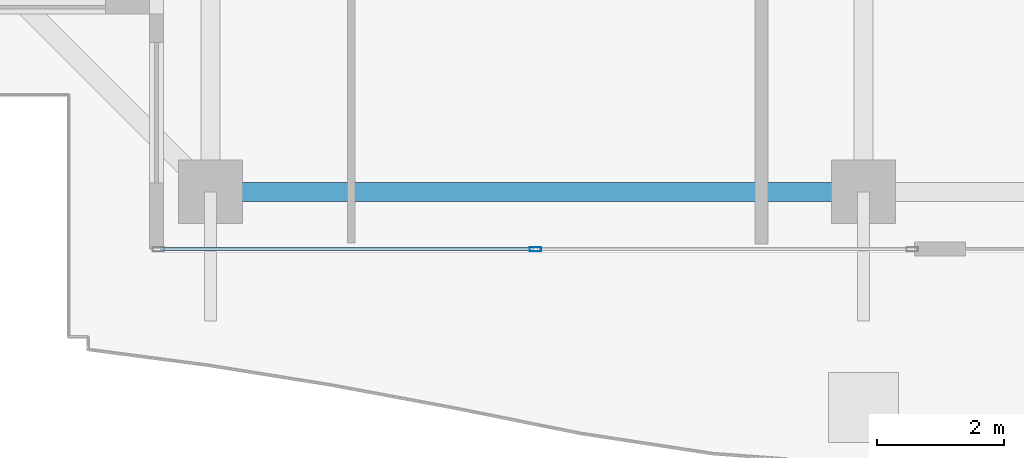
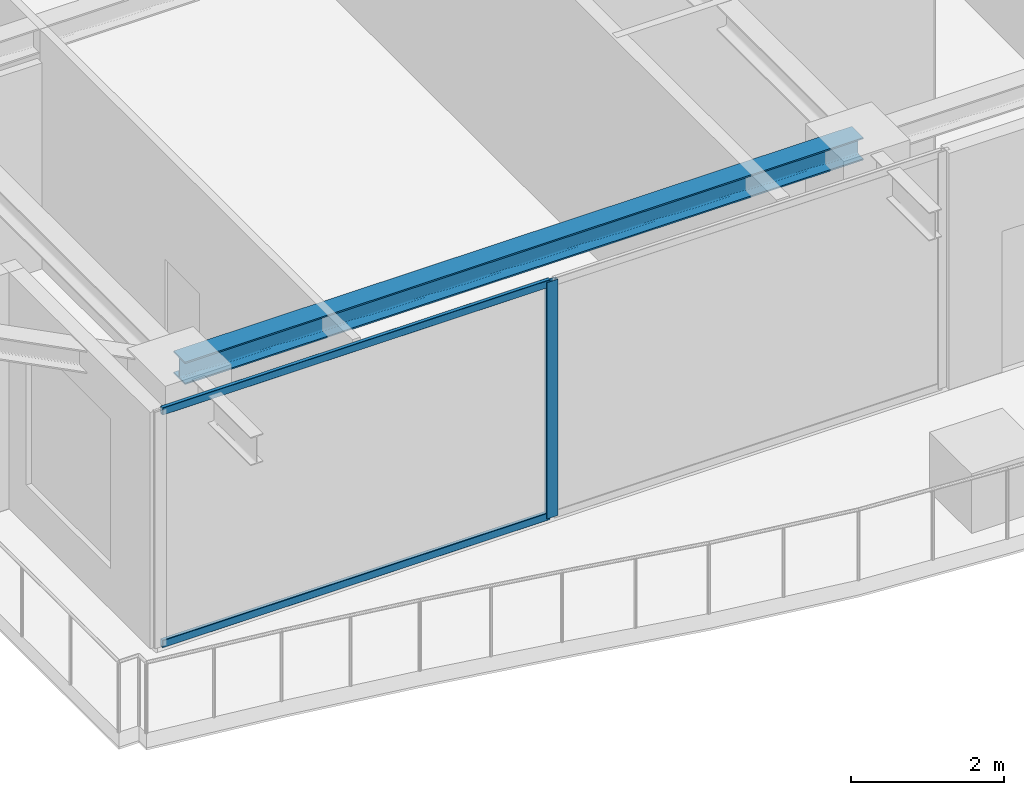
# One storey, part 3 of 42: 3 members, 1 beam, 1 element without a shape of its own.
"""IFC4 building model written with IfcOpenShell, lengths in metres."""

from ifc_helpers import new_model, si_unit, direction, frame, origin, origin_2d, place, context, subcontext, project, spatial, hollow_rectangle, i_section, extrude, source, transform, mapped, material, layer, layer_set, material_profile, profile_set, type_object, element, aggregate, save


model = new_model("IFC4")

# Units and contexts
model_context = context("Model", 3, precision=1e-05, world=origin(), true_north=direction((0.0, 1.0)))
body_context = subcontext(model_context, "Body", "Model", "MODEL_VIEW")
ifc_project = project(units=[si_unit("LENGTHUNIT", "METRE"), si_unit("AREAUNIT", "SQUARE_METRE"), si_unit("VOLUMEUNIT", "CUBIC_METRE"), si_unit("PLANEANGLEUNIT", "RADIAN"), si_unit("MASSUNIT", "GRAM", prefix="KILO")], contexts=[model_context])

# Site, building, storey
site_placement = place(None, origin())
site = spatial("IfcSite", under=ifc_project, at=site_placement, CompositionType="ELEMENT")
building_placement = place(site_placement, origin())
building = spatial("IfcBuilding", under=site, at=building_placement, Name="Serunith Strait Residences", CompositionType="ELEMENT")
storey_placement = place(building_placement, frame((0.0, 0.0, 325.85009765625)))
storey = spatial("IfcBuildingStorey", under=building, at=storey_placement, Name="L81", CompositionType="ELEMENT", Elevation=325.85009765625)

# Beam
ifc_material_1 = material(Name="Steel S355J2", Category="steel")
ifc_material_profile_1 = material_profile(ifc_material_1, i_section(OverallWidth=0.300048828125, OverallDepth=0.360107421875, WebThickness=0.012451171875, FlangeThickness=0.0224609375, FilletRadius=0.027099609375, at=origin_2d()), Name="HEB 360")
ifc_profile_set_1 = profile_set([ifc_material_profile_1], Name="Steel S355J2")
beam_type = type_object("IfcBeamType", Name="BM-HEB360", PredefinedType="BEAM", material=ifc_profile_set_1)
shared_shape_1 = source(origin(), body_context, "Body", "SweptSolid", [
    extrude(i_section(OverallWidth=0.300048828125, OverallDepth=0.360107421875, WebThickness=0.012451171875, FlangeThickness=0.0224609375, FilletRadius=0.027099609375, at=origin_2d()), origin(), (0.0, 0.0, 1.0), 10.25),
])
beam_placement = place(storey_placement, frame((17.64990234375, 3.300048828125, 3.60693359375), z_axis=(1.0, 0.0, 0.0), x_axis=(0.0, 1.0, 0.0)))
element("IfcBeam", 1, at=beam_placement, inside=storey, type_object=beam_type, Name="L81 Perimeter Ring Beam 01", PredefinedType="BEAM", context=body_context, shape_type="MappedRepresentation", body=[
    mapped(shared_shape_1, transform((0.0, 0.0, 0.0), scale=1.0)),
])

# Curtain wall, members
ifc_material_2 = material(Name="Brushed Stainless-Silver Aluminium", Category="aluminium")
ifc_layer = layer(ifc_material_2, 0.199951171875, Name="Brushed Stainless-Silver Aluminium")
ifc_layer_set = layer_set([ifc_layer], Name="Brushed Stainless-Silver Aluminium")
curtain_wall_type = type_object("IfcCurtainWallType", Name="CW-SYS5", PredefinedType="NOTDEFINED", material=ifc_layer_set)
curtain_wall_placement = place(storey_placement, origin())
curtain_wall = element("IfcCurtainWall", 2, at=curtain_wall_placement, inside=storey, type_object=curtain_wall_type, Name="L81 S Unitised Fritted Curtain Wall", PredefinedType="NOTDEFINED")
ifc_material_profile_2 = material_profile(ifc_material_2, hollow_rectangle(XDim=0.06494140625, YDim=0.179931640625, WallThickness=0.00341796875, InnerFilletRadius=0.00537109375, OuterFilletRadius=0.0087890625, at=origin_2d()), Name="ALU 180x65x3.5")
ifc_profile_set_2 = profile_set([ifc_material_profile_2], Name="Brushed Stainless-Silver Aluminium")
member_type_1 = type_object("IfcMemberType", Name="CW-SYS5-MULL", PredefinedType="MULLION", material=ifc_profile_set_2)
shared_shape_2 = source(origin(), body_context, "Body", "SweptSolid", [
    extrude(hollow_rectangle(XDim=0.06494140625, YDim=0.179931640625, WallThickness=0.00341796875, InnerFilletRadius=0.00537109375, OuterFilletRadius=0.0087890625, at=origin_2d()), origin(), (0.0, 0.0, 1.0), 3.77490234375),
])
member_1_placement = place(storey_placement, frame((22.75, 2.39990234375, 0.0), z_axis=(0.0, 0.0, 1.0), x_axis=(0.0, 1.0, 0.0)))
member_1 = element("IfcMember", 3, at=member_1_placement, type_object=member_type_1, Name="CW-5 mullion 2", PredefinedType="MULLION", context=body_context, shape_type="MappedRepresentation", body=[
    mapped(shared_shape_2, transform((0.0, 0.0, 0.0), scale=1.0)),
])
ifc_material_profile_3 = material_profile(ifc_material_2, hollow_rectangle(XDim=0.06005859375, YDim=0.1201171875, WallThickness=0.00341796875, InnerFilletRadius=0.00537109375, OuterFilletRadius=0.0087890625, at=origin_2d()), Name="ALU 120x60x3.5")
ifc_profile_set_3 = profile_set([ifc_material_profile_3], Name="Brushed Stainless-Silver Aluminium")
member_type_2 = type_object("IfcMemberType", Name="CW-SYS5-TRAN", PredefinedType="USERDEFINED", material=ifc_profile_set_3)
shared_shape_3 = source(origin(), body_context, "Body", "SweptSolid", [
    extrude(hollow_rectangle(XDim=0.06005859375, YDim=0.1201171875, WallThickness=0.00341796875, InnerFilletRadius=0.00537109375, OuterFilletRadius=0.0087890625, at=origin_2d()), origin(), (0.0, 0.0, 1.0), 5.8525390625),
])
member_2_placement = place(storey_placement, frame((16.864990234375, 2.39990234375, 0.02978515625), z_axis=(1.0, 0.0, 0.0), x_axis=(0.0, 1.0, 0.0)))
member_2 = element("IfcMember", 4, at=member_2_placement, type_object=member_type_2, Name="CW-5 transom 1.1", ObjectType="TRANSOM", PredefinedType="USERDEFINED", context=body_context, shape_type="MappedRepresentation", body=[
    mapped(shared_shape_3, transform((0.0, 0.0, 0.0), scale=1.0)),
])
member_3_placement = place(storey_placement, frame((16.864990234375, 2.39990234375, 3.744873046875), z_axis=(1.0, 0.0, 0.0), x_axis=(0.0, 1.0, 0.0)))
member_3 = element("IfcMember", 5, at=member_3_placement, type_object=member_type_2, Name="CW-5 transom 1.2", ObjectType="TRANSOM", PredefinedType="USERDEFINED", context=body_context, shape_type="MappedRepresentation", body=[
    mapped(shared_shape_3, transform((0.0, 0.0, 0.0), scale=1.0)),
])
aggregate(curtain_wall, [member_1, member_2, member_3])

save(model, "model.ifc")
